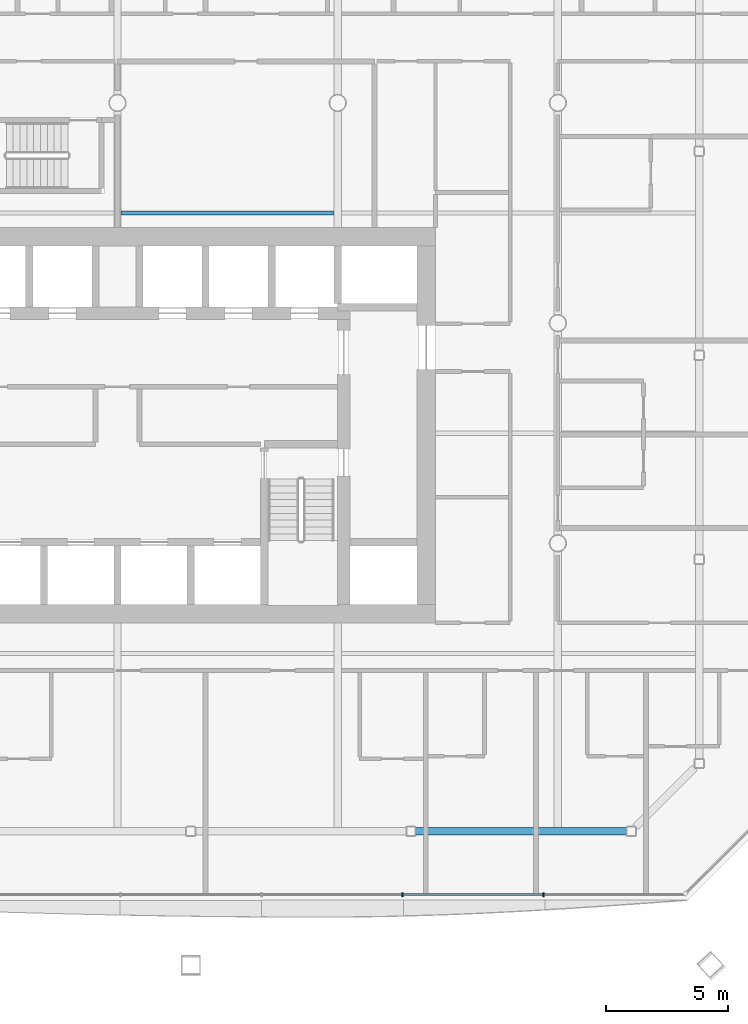
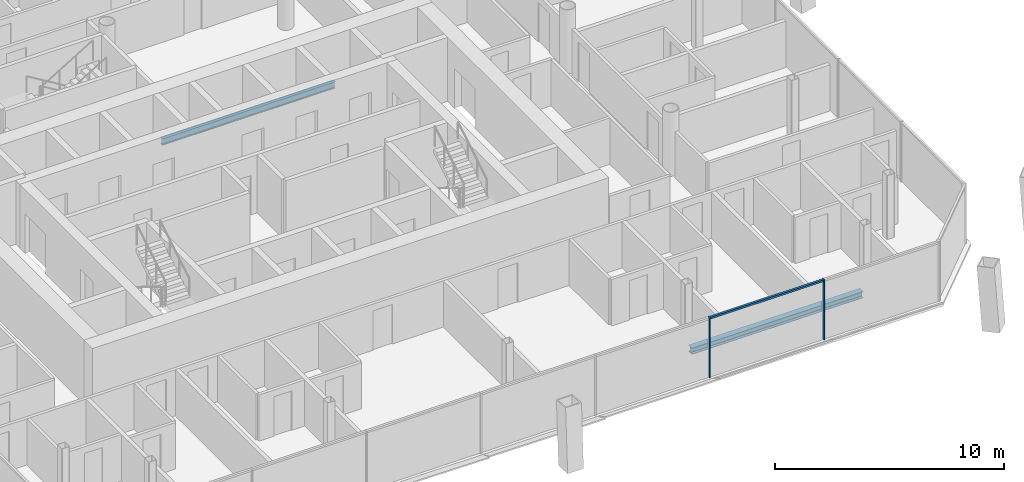
# One storey, part 7 of 22: 3 members, 2 beams, 1 element without a shape of its own.
"""IFC4 building model written with IfcOpenShell, lengths in metres."""

from ifc_helpers import new_model, si_unit, direction, frame, origin, origin_2d, place, context, subcontext, project, spatial, rectangle, i_section, extrude, material, material_profile, profile_set, type_object, element, aggregate, save


model = new_model("IFC4")

# Units and contexts
model_context = context("Model", 3, precision=1e-05, world=origin(), true_north=direction((0.0, 1.0)))
body_context = subcontext(model_context, "Body", "Model", "MODEL_VIEW")
ifc_project = project(units=[si_unit("LENGTHUNIT", "METRE"), si_unit("AREAUNIT", "SQUARE_METRE"), si_unit("VOLUMEUNIT", "CUBIC_METRE"), si_unit("PLANEANGLEUNIT", "RADIAN"), si_unit("MASSUNIT", "GRAM", prefix="KILO")], contexts=[model_context])

# Site, building, storey
site_placement = place(None, origin())
site = spatial("IfcSite", under=ifc_project, at=site_placement, CompositionType="ELEMENT")
building_placement = place(site_placement, origin())
building = spatial("IfcBuilding", under=site, at=building_placement, Name="Tskaro Facet Tower", CompositionType="ELEMENT")
storey_placement = place(building_placement, frame((0.0, 0.0, 124.89990234375)))
storey = spatial("IfcBuildingStorey", under=building, at=storey_placement, Name="L29", CompositionType="ELEMENT", Elevation=124.89990234375)

# Curtain wall, members
ifc_material_1 = material(Name="Bronze anodised aluminium 6063-T6", Category="aluminium")
curtain_wall_type = type_object("IfcCurtainWallType", Name="Bronze hotel curtain wall (FW2)", PredefinedType="NOTDEFINED", material=ifc_material_1)
curtain_wall_placement = place(storey_placement, origin())
curtain_wall = element("IfcCurtainWall", 1, at=curtain_wall_placement, inside=storey, type_object=curtain_wall_type, Name="FW2 south facet L29", PredefinedType="NOTDEFINED")
ifc_material_profile_1 = material_profile(ifc_material_1, rectangle(XDim=0.06005859375, YDim=0.14990234375, at=origin_2d()), Name="Mullion 60x150")
ifc_profile_set_1 = profile_set([ifc_material_profile_1], Name="Bronze anodised aluminium 6063-T6")
member_type_1 = type_object("IfcMemberType", Name="FW2 bronze mullion 60x150", PredefinedType="MULLION", material=ifc_profile_set_1)
member_1_placement = place(storey_placement, frame((11.642578125, -23.366943359375, 0.0), z_axis=(0.0, 0.0, 1.0), x_axis=(1.0, 0.0, 0.0)))
member_1 = element("IfcMember", 2, at=member_1_placement, type_object=member_type_1, Name="FW2 south mullion 5", PredefinedType="MULLION", context=body_context, shape_type="SweptSolid", body=[
    extrude(rectangle(XDim=0.06005859375, YDim=0.14990234375, at=origin_2d()), origin(), (0.0, 0.0, 1.0), 3.2001953125),
])
member_2_placement = place(storey_placement, frame((17.404296875, -23.366943359375, 0.0), z_axis=(0.0, 0.0, 1.0), x_axis=(1.0, 0.0, 0.0)))
member_2 = element("IfcMember", 3, at=member_2_placement, type_object=member_type_1, Name="FW2 south mullion 6", PredefinedType="MULLION", context=body_context, shape_type="SweptSolid", body=[
    extrude(rectangle(XDim=0.06005859375, YDim=0.14990234375, at=origin_2d()), origin(), (0.0, 0.0, 1.0), 3.2001953125),
])
ifc_material_profile_2 = material_profile(ifc_material_1, rectangle(XDim=0.110107421875, YDim=0.10009765625, at=origin_2d()), Name="Transom 110x100")
ifc_profile_set_2 = profile_set([ifc_material_profile_2], Name="Bronze anodised aluminium 6063-T6")
member_type_2 = type_object("IfcMemberType", Name="FW2 bronze transom 110x100", PredefinedType="USERDEFINED", material=ifc_profile_set_2)
member_3_placement = place(storey_placement, frame((11.672607421875, -23.366943359375, 3.150146484375), z_axis=(1.0, 0.0, 0.0), x_axis=(0.0, 1.0, 0.0)))
member_3 = element("IfcMember", 4, at=member_3_placement, type_object=member_type_2, Name="FW2 south transom 6.1", ObjectType="TRANSOM", PredefinedType="USERDEFINED", context=body_context, shape_type="SweptSolid", body=[
    extrude(rectangle(XDim=0.110107421875, YDim=0.10009765625, at=origin_2d()), origin(), (0.0, 0.0, 1.0), 5.70166015625),
])
aggregate(curtain_wall, [member_1, member_2, member_3])

# Beams
ifc_material_2 = material(Name="Steel S355J2", Category="steel")
ifc_material_profile_3 = material_profile(ifc_material_2, i_section(OverallWidth=0.300048828125, OverallDepth=0.340087890625, WebThickness=0.011962890625, FlangeThickness=0.021484375, FilletRadius=0.027099609375, at=origin_2d()), Name="HE 340 B")
ifc_profile_set_3 = profile_set([ifc_material_profile_3], Name="Steel S355J2")
beam_type_1 = type_object("IfcBeamType", Name="HE 340 B ring beam", PredefinedType="BEAM", material=ifc_profile_set_3)
beam_1_placement = place(storey_placement, frame((12.179931640625, -20.77392578125, -0.309814453125), z_axis=(1.0, 0.0, 0.0), x_axis=(0.0, 1.0, 0.0)))
element("IfcBeam", 5, at=beam_1_placement, inside=storey, type_object=beam_type_1, Name="HE 340 B EB4-3", PredefinedType="BEAM", context=body_context, shape_type="SweptSolid", body=[
    extrude(i_section(OverallWidth=0.300048828125, OverallDepth=0.340087890625, WebThickness=0.011962890625, FlangeThickness=0.021484375, FilletRadius=0.027099609375, at=origin_2d()), origin(), (0.0, 0.0, 1.0), 8.63916015625),
])
ifc_material_profile_4 = material_profile(ifc_material_2, i_section(OverallWidth=0.169921875, OverallDepth=0.360107421875, WebThickness=0.008056640625, FlangeThickness=0.0126953125, FilletRadius=0.01806640625, at=origin_2d()), Name="IPE 360")
ifc_profile_set_4 = profile_set([ifc_material_profile_4], Name="Steel S355J2")
beam_type_2 = type_object("IfcBeamType", Name="IPE 360 secondary beam", PredefinedType="BEAM", material=ifc_profile_set_4)
beam_2_placement = place(storey_placement, frame((0.14990234375, 4.5, -0.31982421875), z_axis=(1.0, 0.0, 0.0), x_axis=(0.0, 1.0, 0.0)))
element("IfcBeam", 6, at=beam_2_placement, inside=storey, type_object=beam_type_2, Name="IPE 360 SB4a-3-3", PredefinedType="BEAM", context=body_context, shape_type="SweptSolid", body=[
    extrude(i_section(OverallWidth=0.169921875, OverallDepth=0.360107421875, WebThickness=0.008056640625, FlangeThickness=0.0126953125, FilletRadius=0.01806640625, at=origin_2d()), origin(), (0.0, 0.0, 1.0), 8.7001953125),
])

save(model, "model.ifc")
